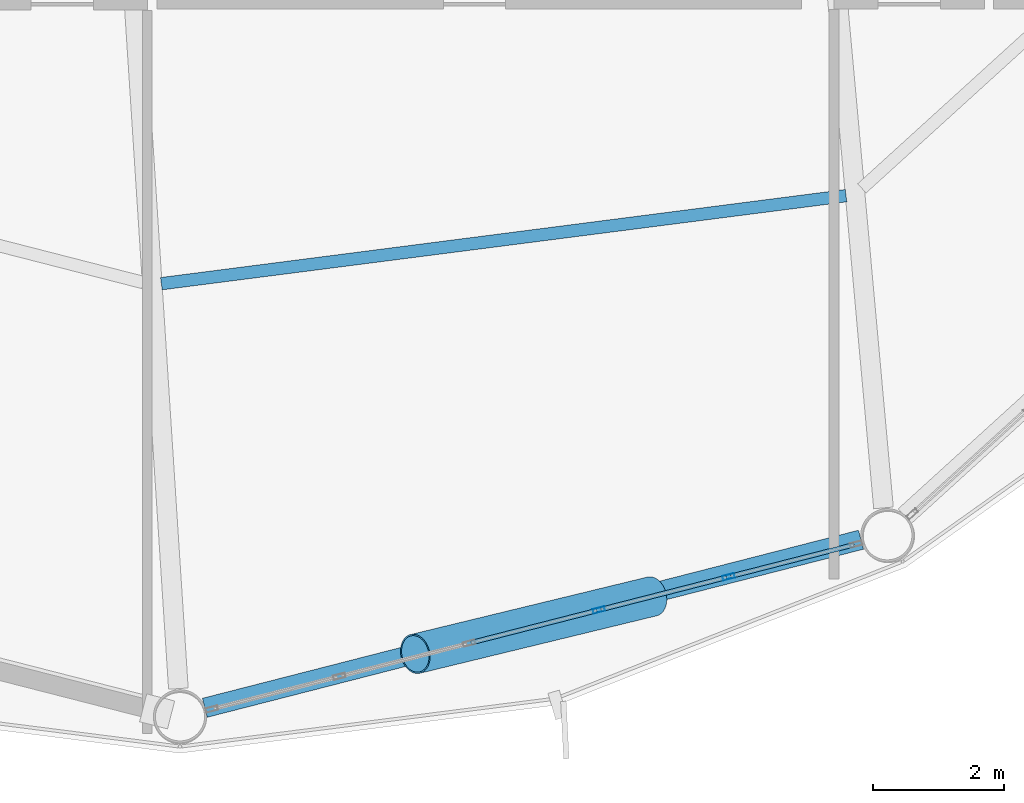
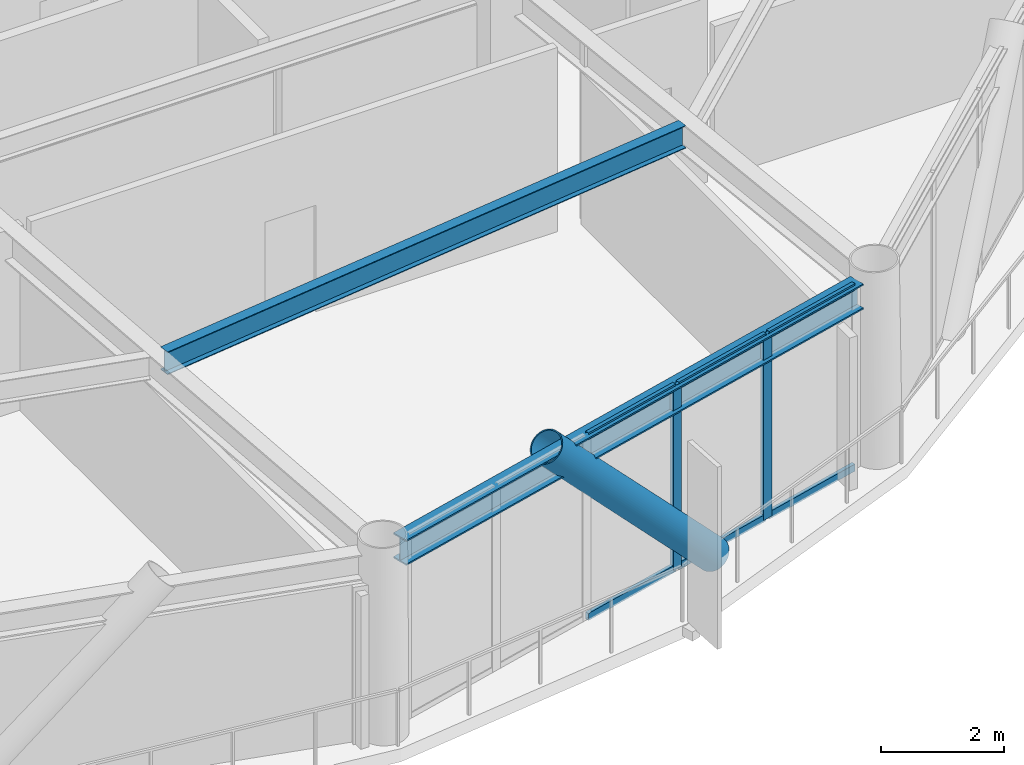
# One storey, part 6 of 25: 9 members, 2 beams, 1 element without a shape of its own.
"""IFC4 building model written with IfcOpenShell, lengths in metres."""

from ifc_helpers import new_model, si_unit, direction, frame, origin, origin_2d, place, context, subcontext, project, spatial, hollow_rectangle, hollow_circle, i_section, extrude, material, layer, layer_set, material_profile, profile_set, type_object, element, aggregate, save


model = new_model("IFC4")

# Units and contexts
model_context = context("Model", 3, precision=1e-05, world=origin(), true_north=direction((0.0, 1.0)))
body_context = subcontext(model_context, "Body", "Model", "MODEL_VIEW")
ifc_project = project(units=[si_unit("LENGTHUNIT", "METRE"), si_unit("AREAUNIT", "SQUARE_METRE"), si_unit("VOLUMEUNIT", "CUBIC_METRE"), si_unit("PLANEANGLEUNIT", "RADIAN"), si_unit("MASSUNIT", "GRAM", prefix="KILO")], contexts=[model_context])

# Site, building, storey
site_placement = place(None, origin())
site = spatial("IfcSite", under=ifc_project, at=site_placement, CompositionType="ELEMENT")
building_placement = place(site_placement, origin())
building = spatial("IfcBuilding", under=site, at=building_placement, Name="Varnakorn Sky Granary", CompositionType="ELEMENT")
storey_placement = place(building_placement, frame((0.0, 0.0, 91.5)))
storey = spatial("IfcBuildingStorey", under=building, at=storey_placement, Name="L22", CompositionType="ELEMENT", Elevation=91.5)

# Beams
ifc_material_1 = material(Name="Steel S355JR", Category="steel")
ifc_material_profile_1 = material_profile(ifc_material_1, i_section(OverallWidth=0.18994140625, OverallDepth=0.449951171875, WebThickness=0.009521484375, FlangeThickness=0.0146484375, at=origin_2d()), Name="IPE 450")
ifc_profile_set_1 = profile_set([ifc_material_profile_1], Name="Steel S355JR")
beam_type_1 = type_object("IfcBeamType", Name="BM-SEC-Z2", PredefinedType="BEAM", material=ifc_profile_set_1)
beam_1_placement = place(storey_placement, frame((-1.78515625, -13.173828125, 3.4150390625), z_axis=(0.99183506475, 0.127527268978, 0.0), x_axis=(-0.127527268978, 0.99183506475, 0.0)))
element("IfcBeam", 1, at=beam_1_placement, inside=storey, type_object=beam_type_1, Name="Secondary Floor Chord Beam MSB10 L22", PredefinedType="BEAM", context=body_context, shape_type="SweptSolid", body=[
    extrude(i_section(OverallWidth=0.18994140625, OverallDepth=0.449951171875, WebThickness=0.009521484375, FlangeThickness=0.0146484375, at=origin_2d()), origin(), (0.0, 0.0, 1.0), 10.55419921875),
])
ifc_material_profile_2 = material_profile(ifc_material_1, i_section(OverallWidth=0.300048828125, OverallDepth=0.5, WebThickness=0.014404296875, FlangeThickness=0.028076171875, at=origin_2d()), Name="HE 500 B")
ifc_profile_set_2 = profile_set([ifc_material_profile_2], Name="Steel S355JR")
beam_type_2 = type_object("IfcBeamType", Name="BM-SPD-Z2", PredefinedType="SPANDREL", material=ifc_profile_set_2)
beam_2_placement = place(storey_placement, frame((-1.12060546875, -19.657958984375, 3.389892578125), z_axis=(0.968728550674, 0.248122943537, 0.0), x_axis=(-0.248122943537, 0.968728550674, 0.0)))
element("IfcBeam", 2, at=beam_2_placement, inside=storey, type_object=beam_type_2, Name="Perimeter Spandrel Ring Beam RB10 L22", PredefinedType="SPANDREL", context=body_context, shape_type="SweptSolid", body=[
    extrude(i_section(OverallWidth=0.300048828125, OverallDepth=0.5, WebThickness=0.014404296875, FlangeThickness=0.028076171875, at=origin_2d()), origin(), (0.0, 0.0, 1.0), 10.35595703125),
])

# Curtain wall, members
ifc_material_2 = material(Name="Anodised Bronze Aluminium Alloy 6063-T6", Category="aluminium")
ifc_layer = layer(ifc_material_2, 0.18994140625, Name="Anodised Bronze Aluminium Alloy 6063-T6")
ifc_layer_set = layer_set([ifc_layer], Name="Anodised Bronze Aluminium Alloy 6063-T6")
curtain_wall_type = type_object("IfcCurtainWallType", Name="CW-FRM-1", PredefinedType="USERDEFINED", material=ifc_layer_set)
curtain_wall_placement = place(storey_placement, origin())
curtain_wall = element("IfcCurtainWall", 3, at=curtain_wall_placement, inside=storey, type_object=curtain_wall_type, Name="Unitised Curtain Wall CW3 CW-L22-B10", ObjectType="CURTAIN WALL", PredefinedType="USERDEFINED")
ifc_material_profile_3 = material_profile(ifc_material_2, hollow_rectangle(XDim=0.070068359375, YDim=0.18505859375, WallThickness=0.00390625, at=origin_2d()), Name="ALU MULL 70x185")
ifc_profile_set_3 = profile_set([ifc_material_profile_3], Name="Anodised Bronze Aluminium Alloy 6063-T6")
member_type_1 = type_object("IfcMemberType", Name="CW-FRM-1-MULL", PredefinedType="MULLION", material=ifc_profile_set_3)
member_1_placement = place(storey_placement, frame((6.887939453125, -17.655517578125, 0.0), z_axis=(0.0, 0.0, 1.0), x_axis=(0.247904232144, -0.96878454348, 0.0)))
member_1 = element("IfcMember", 4, at=member_1_placement, type_object=member_type_1, Name="CW3 mullion 2", PredefinedType="MULLION", context=body_context, shape_type="SweptSolid", body=[
    extrude(hollow_rectangle(XDim=0.070068359375, YDim=0.18505859375, WallThickness=0.00390625, at=origin_2d()), origin(), (0.0, 0.0, 1.0), 3.639892578125),
])
member_2_placement = place(storey_placement, frame((4.904052734375, -18.1630859375, 0.0), z_axis=(0.0, 0.0, 1.0), x_axis=(0.247904232144, -0.96878454348, 0.0)))
member_2 = element("IfcMember", 5, at=member_2_placement, type_object=member_type_1, Name="CW3 mullion 3", PredefinedType="MULLION", context=body_context, shape_type="SweptSolid", body=[
    extrude(hollow_rectangle(XDim=0.070068359375, YDim=0.18505859375, WallThickness=0.00390625, at=origin_2d()), origin(), (0.0, 0.0, 1.0), 3.639892578125),
])
ifc_material_profile_4 = material_profile(ifc_material_2, hollow_rectangle(XDim=0.070068359375, YDim=0.139892578125, WallThickness=0.00341796875, at=origin_2d()), Name="ALU TRAN 70x140")
ifc_profile_set_4 = profile_set([ifc_material_profile_4], Name="Anodised Bronze Aluminium Alloy 6063-T6")
member_type_2 = type_object("IfcMemberType", Name="CW-FRM-1-TRAN", PredefinedType="USERDEFINED", material=ifc_profile_set_4)
member_3_placement = place(storey_placement, frame((8.80419921875, -17.1650390625, 0.034912109375), z_axis=(-0.968782354404, -0.247912786672, 0.0), x_axis=(0.247912786672, -0.968782354404, 0.0)))
member_3 = element("IfcMember", 6, at=member_3_placement, type_object=member_type_2, Name="CW3 transom 1.1", ObjectType="TRANSOM", PredefinedType="USERDEFINED", context=body_context, shape_type="SweptSolid", body=[
    extrude(hollow_rectangle(XDim=0.070068359375, YDim=0.139892578125, WallThickness=0.00341796875, at=origin_2d()), origin(), (0.0, 0.0, 1.0), 1.94287109375),
])
member_4_placement = place(storey_placement, frame((8.80419921875, -17.1650390625, 3.60498046875), z_axis=(-0.968782354404, -0.247912786672, 0.0), x_axis=(0.247912786672, -0.968782354404, 0.0)))
member_4 = element("IfcMember", 7, at=member_4_placement, type_object=member_type_2, Name="CW3 transom 1.2", ObjectType="TRANSOM", PredefinedType="USERDEFINED", context=body_context, shape_type="SweptSolid", body=[
    extrude(hollow_rectangle(XDim=0.070068359375, YDim=0.139892578125, WallThickness=0.00341796875, at=origin_2d()), origin(), (0.0, 0.0, 1.0), 1.94287109375),
])
member_5_placement = place(storey_placement, frame((6.854248046875, -17.6640625, 0.034912109375), z_axis=(-0.968769615209, -0.247962562996, 0.0), x_axis=(0.247962562996, -0.968769615209, 0.0)))
member_5 = element("IfcMember", 8, at=member_5_placement, type_object=member_type_2, Name="CW3 transom 2.1", ObjectType="TRANSOM", PredefinedType="USERDEFINED", context=body_context, shape_type="SweptSolid", body=[
    extrude(hollow_rectangle(XDim=0.070068359375, YDim=0.139892578125, WallThickness=0.00341796875, at=origin_2d()), origin(), (0.0, 0.0, 1.0), 1.97802734375),
])
member_6_placement = place(storey_placement, frame((6.854248046875, -17.6640625, 3.60498046875), z_axis=(-0.968769615209, -0.247962562996, 0.0), x_axis=(0.247962562996, -0.968769615209, 0.0)))
member_6 = element("IfcMember", 9, at=member_6_placement, type_object=member_type_2, Name="CW3 transom 2.2", ObjectType="TRANSOM", PredefinedType="USERDEFINED", context=body_context, shape_type="SweptSolid", body=[
    extrude(hollow_rectangle(XDim=0.070068359375, YDim=0.139892578125, WallThickness=0.00341796875, at=origin_2d()), origin(), (0.0, 0.0, 1.0), 1.97802734375),
])
member_7_placement = place(storey_placement, frame((4.8701171875, -18.171875, 0.034912109375), z_axis=(-0.968799258379, -0.247846720706, 0.0), x_axis=(0.247846720706, -0.968799258379, 0.0)))
member_7 = element("IfcMember", 10, at=member_7_placement, type_object=member_type_2, Name="CW3 transom 3.1", ObjectType="TRANSOM", PredefinedType="USERDEFINED", context=body_context, shape_type="SweptSolid", body=[
    extrude(hollow_rectangle(XDim=0.070068359375, YDim=0.139892578125, WallThickness=0.00341796875, at=origin_2d()), origin(), (0.0, 0.0, 1.0), 1.97802734375),
])
member_8_placement = place(storey_placement, frame((4.8701171875, -18.171875, 3.60498046875), z_axis=(-0.968799258379, -0.247846720706, 0.0), x_axis=(0.247846720706, -0.968799258379, 0.0)))
member_8 = element("IfcMember", 11, at=member_8_placement, type_object=member_type_2, Name="CW3 transom 3.2", ObjectType="TRANSOM", PredefinedType="USERDEFINED", context=body_context, shape_type="SweptSolid", body=[
    extrude(hollow_rectangle(XDim=0.070068359375, YDim=0.139892578125, WallThickness=0.00341796875, at=origin_2d()), origin(), (0.0, 0.0, 1.0), 1.97802734375),
])
aggregate(curtain_wall, [member_1, member_2, member_3, member_4, member_5, member_6, member_7, member_8])

# Member
ifc_material_3 = material(Name="Steel S460M", Category="steel")
ifc_material_profile_5 = material_profile(ifc_material_3, hollow_circle(Radius=0.304931640625, WallThickness=0.022216796875, at=origin_2d()), Name="CHS 610x22")
ifc_profile_set_5 = profile_set([ifc_material_profile_5], Name="Steel S460M")
member_type_3 = type_object("IfcMemberType", Name="MB-DIAG-T1", PredefinedType="BRACE", material=ifc_profile_set_5)
member_9_placement = place(storey_placement, frame((5.716064453125, -17.955322265625, -0.1298828125), z_axis=(-0.669344297662, -0.162459577913, 0.724972479982), x_axis=(0.23586644361, -0.971785480844, 0.0)))
element("IfcMember", 12, at=member_9_placement, inside=storey, type_object=member_type_3, Name="Perimeter CHS Diagrid Brace DG10 L22", PredefinedType="BRACE", context=body_context, shape_type="SweptSolid", body=[
    extrude(hollow_circle(Radius=0.304931640625, WallThickness=0.022216796875, at=origin_2d()), origin(), (0.0, 0.0, 1.0), 5.406982421875),
])

save(model, "model.ifc")
